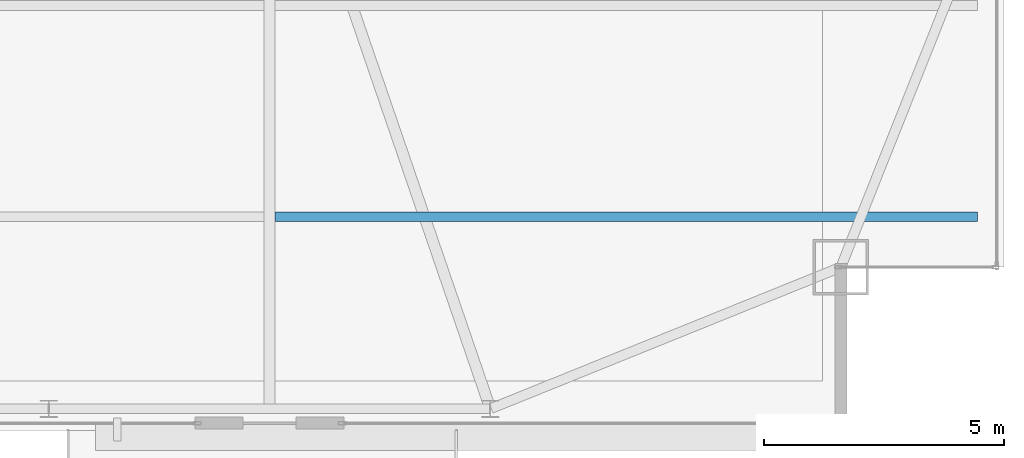
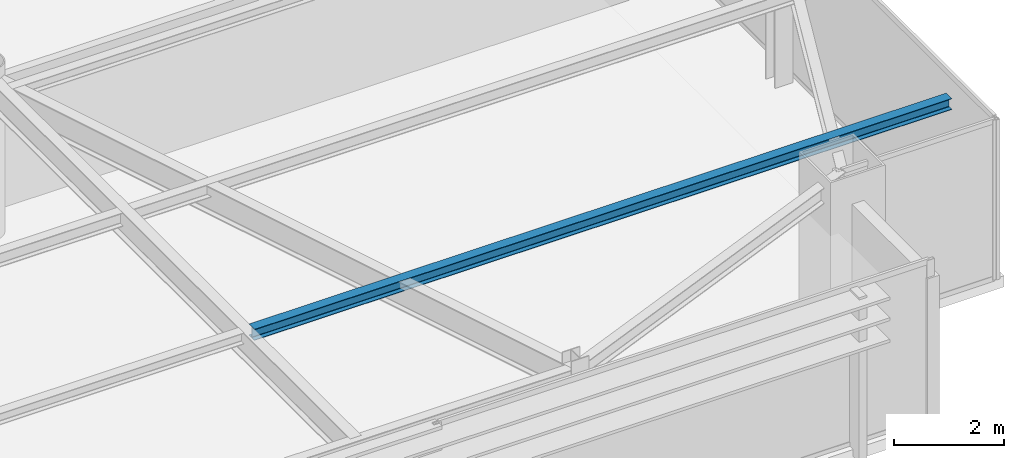
# One storey, part 14 of 30: 1 beam.
"""IFC4 building model written with IfcOpenShell, lengths in metres."""

from ifc_helpers import new_model, si_unit, direction, frame, origin, origin_2d, place, context, subcontext, project, spatial, i_section, extrude, source, transform, mapped, material, material_profile, profile_set, type_object, type_shapes, element, save


model = new_model("IFC4")

# Units and contexts
model_context = context("Model", 3, precision=1e-05, world=origin(), true_north=direction((0.0, 1.0)))
body_context = subcontext(model_context, "Body", "Model", "MODEL_VIEW")
ifc_project = project(units=[si_unit("LENGTHUNIT", "METRE"), si_unit("AREAUNIT", "SQUARE_METRE"), si_unit("VOLUMEUNIT", "CUBIC_METRE"), si_unit("PLANEANGLEUNIT", "RADIAN"), si_unit("MASSUNIT", "GRAM", prefix="KILO")], contexts=[model_context])

# Site, building, storey
site_placement = place(None, origin())
site = spatial("IfcSite", under=ifc_project, at=site_placement, CompositionType="ELEMENT")
building_placement = place(site_placement, origin())
building = spatial("IfcBuilding", under=site, at=building_placement, Name="Varnel Quay Broadcast Tower", CompositionType="ELEMENT")
storey_placement = place(building_placement, frame((0.0, 0.0, 222.60009765625)))
storey = spatial("IfcBuildingStorey", under=building, at=storey_placement, Name="L55", CompositionType="ELEMENT", Elevation=222.60009765625)

# Beam
ifc_material = material(Name="Structural Steel CSA G40.21 350W", Category="steel")
ifc_material_profile = material_profile(ifc_material, i_section(OverallWidth=0.201904296875, OverallDepth=0.2470703125, WebThickness=0.00732421875, FlangeThickness=0.010986328125, FilletRadius=0.010986328125, at=origin_2d()), Name="W250X49")
ifc_profile_set = profile_set([ifc_material_profile], Name="Structural Steel CSA G40.21 350W")
beam_type = type_object("IfcBeamType", Name="Beam_W250X49", PredefinedType="JOIST", material=ifc_profile_set)
shared_shape = source(origin(), body_context, "Body", "SweptSolid", [
    extrude(i_section(OverallWidth=0.201904296875, OverallDepth=0.2470703125, WebThickness=0.00732421875, FlangeThickness=0.010986328125, FilletRadius=0.010986328125, at=origin_2d()), origin(), (0.0, 0.0, 1.0), 14.642333984375),
])
type_shapes(beam_type, [shared_shape])
beam_placement = place(storey_placement, frame((43.31005859375, 14.64990234375, 3.426513671875), z_axis=(1.0, 0.0, 0.0), x_axis=(0.0, 1.0, 0.0)))
element("IfcBeam", 1, at=beam_placement, inside=storey, type_object=beam_type, Name="L55 East Floor Joist 1", PredefinedType="JOIST", context=body_context, shape_type="MappedRepresentation", body=[
    mapped(shared_shape, transform((0.0, 0.0, 0.0), x_axis=(1.0, 0.0, 0.0), y_axis=(0.0, 1.0, 0.0), z_axis=(0.0, 0.0, 1.0), scale=1.0)),
])

save(model, "model.ifc")
